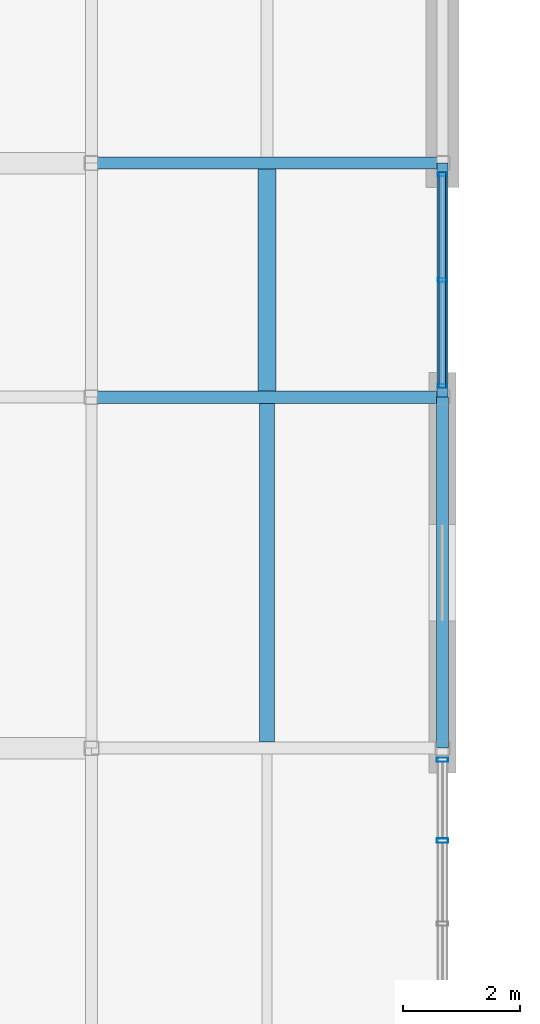
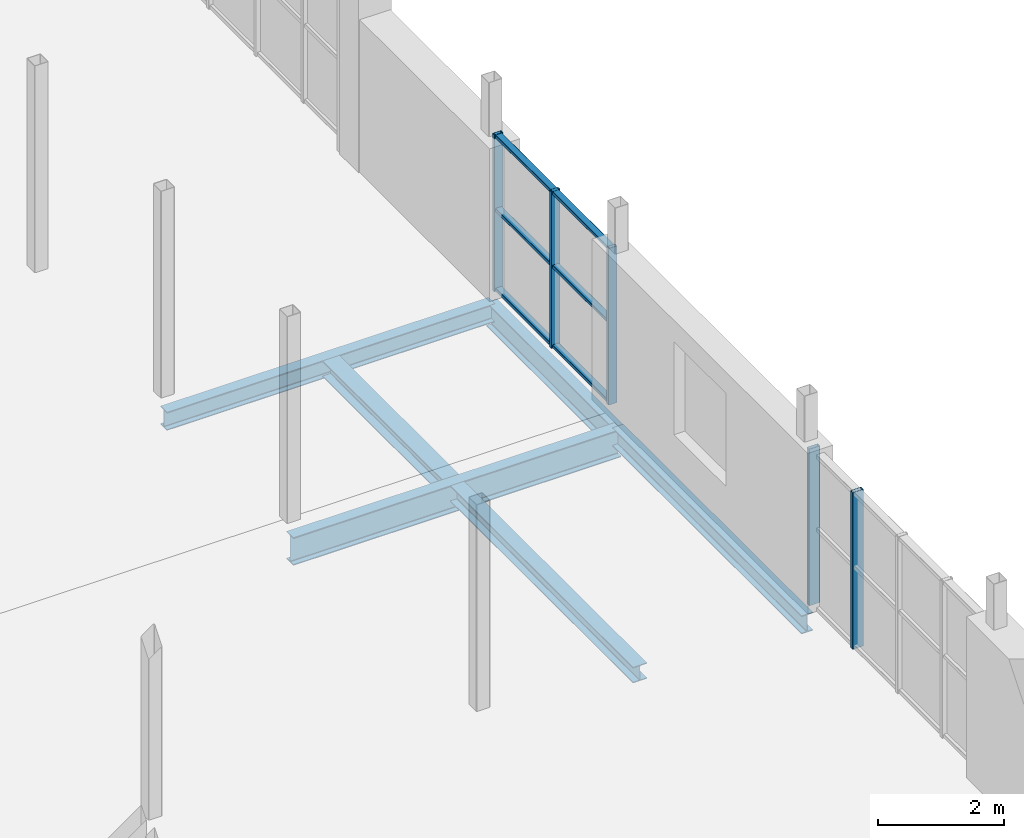
# One storey, part 18 of 35: 8 members, 6 beams, 2 elements without a shape of their own.
"""IFC4 building model written with IfcOpenShell, lengths in metres."""

from ifc_helpers import new_model, si_unit, direction, frame, origin, origin_2d, place, context, subcontext, project, spatial, hollow_rectangle, i_section, extrude, material, material_profile, profile_set, type_object, element, aggregate, save


model = new_model("IFC4")

# Units and contexts
model_context = context("Model", 3, precision=1e-05, world=origin(), true_north=direction((0.0, 1.0)))
body_context = subcontext(model_context, "Body", "Model", "MODEL_VIEW")
ifc_project = project(units=[si_unit("LENGTHUNIT", "METRE"), si_unit("AREAUNIT", "SQUARE_METRE"), si_unit("VOLUMEUNIT", "CUBIC_METRE"), si_unit("PLANEANGLEUNIT", "RADIAN"), si_unit("MASSUNIT", "GRAM", prefix="KILO")], contexts=[model_context])

# Site, building, storey
site_placement = place(None, origin())
site = spatial("IfcSite", under=ifc_project, at=site_placement, CompositionType="ELEMENT")
building_placement = place(site_placement, origin())
building = spatial("IfcBuilding", under=site, at=building_placement, Name="Verrall Gate Interchange", CompositionType="ELEMENT")
storey_placement = place(building_placement, frame((0.0, 0.0, 15.39990234375)))
storey = spatial("IfcBuildingStorey", under=building, at=storey_placement, Name="L04", CompositionType="ELEMENT", Elevation=15.39990234375)

# Beams
ifc_material_1 = material(Name="Structural Steel CSA G40.21 350W", Category="steel")
ifc_material_profile_1 = material_profile(ifc_material_1, i_section(OverallWidth=0.2109375, OverallDepth=0.5390625, WebThickness=0.01171875, FlangeThickness=0.018798828125, FilletRadius=0.013916015625, at=origin_2d()), Name="W530x109")
ifc_profile_set_1 = profile_set([ifc_material_profile_1], Name="Structural Steel CSA G40.21 350W")
beam_type_1 = type_object("IfcBeamType", Name="B-10 Structural Beam W530x109", PredefinedType="BEAM", material=ifc_profile_set_1)
beam_1_placement = place(storey_placement, frame((30.0, 40.0, -0.599365234375), z_axis=(1.0, 0.0, 0.0), x_axis=(0.0, 1.0, 0.0)))
element("IfcBeam", 1, at=beam_1_placement, inside=storey, type_object=beam_type_1, Name="L04 Girder BM-L04-2585 (B-10)", PredefinedType="BEAM", context=body_context, shape_type="SweptSolid", body=[
    extrude(i_section(OverallWidth=0.2109375, OverallDepth=0.5390625, WebThickness=0.01171875, FlangeThickness=0.018798828125, FilletRadius=0.013916015625, at=origin_2d()), origin(), (0.0, 0.0, 1.0), 6.0),
])
ifc_material_2 = material(Name="Structural Steel CSA G40.21 350W", Category="steel")
ifc_material_profile_2 = material_profile(ifc_material_2, i_section(OverallWidth=0.19189453125, OverallDepth=0.462890625, WebThickness=0.010498046875, FlangeThickness=0.017578125, FilletRadius=0.012939453125, at=origin_2d()), Name="W460x89")
ifc_profile_set_2 = profile_set([ifc_material_profile_2], Name="Structural Steel CSA G40.21 350W")
beam_type_2 = type_object("IfcBeamType", Name="B-11 Structural Beam W460x89", PredefinedType="BEAM", material=ifc_profile_set_2)
beam_2_placement = place(storey_placement, frame((36.0, 40.0, -0.5615234375), z_axis=(0.0, 1.0, 0.0), x_axis=(-1.0, 0.0, 0.0)))
element("IfcBeam", 2, at=beam_2_placement, inside=storey, type_object=beam_type_2, Name="L04 Girder BM-L04-2717 (B-11)", PredefinedType="BEAM", context=body_context, shape_type="SweptSolid", body=[
    extrude(i_section(OverallWidth=0.19189453125, OverallDepth=0.462890625, WebThickness=0.010498046875, FlangeThickness=0.017578125, FilletRadius=0.012939453125, at=origin_2d()), origin(), (0.0, 0.0, 1.0), 4.0),
])
ifc_material_3 = material(Name="Structural Steel CSA G40.21 350W", Category="steel")
ifc_material_profile_3 = material_profile(ifc_material_3, i_section(OverallWidth=0.205078125, OverallDepth=0.35400390625, WebThickness=0.009521484375, FlangeThickness=0.016845703125, FilletRadius=0.012939453125, at=origin_2d()), Name="W360x79")
ifc_profile_set_3 = profile_set([ifc_material_profile_3], Name="Structural Steel CSA G40.21 350W")
beam_type_3 = type_object("IfcBeamType", Name="B-14 Structural Beam W360x79", PredefinedType="BEAM", material=ifc_profile_set_3)
for number, where, z_axis, x_axis, name in (
    (3, (30.0, 44.0, -0.5068359375), (1.0, 0.0, 0.0), (0.0, 1.0, 0.0), "L04 Girder BM-L04-2596 (B-14)"),
    (4, (36.0, 34.0, -0.5068359375), (0.0, 1.0, 0.0), (-1.0, 0.0, 0.0), "L04 Girder BM-L04-2716 (B-14)"),
):
    element("IfcBeam", number, at=place(storey_placement, frame(where, z_axis=z_axis, x_axis=x_axis)), inside=storey, type_object=beam_type_3, Name=name, PredefinedType="BEAM", context=body_context, shape_type="SweptSolid", body=[
        extrude(i_section(OverallWidth=0.205078125, OverallDepth=0.35400390625, WebThickness=0.009521484375, FlangeThickness=0.016845703125, FilletRadius=0.012939453125, at=origin_2d()), origin(), (0.0, 0.0, 1.0), 6.0),
    ])

# Curtain wall, members
ifc_material_4 = material(Name="Thermally Broken Anodized Aluminium Curtain Wall Framing", Category="aluminium")
curtain_wall_type_1 = type_object("IfcCurtainWallType", Name="CW-32 Unitized Curtain Wall 3682x3030", PredefinedType="NOTDEFINED", material=ifc_material_4)
curtain_wall_1_placement = place(storey_placement, origin())
curtain_wall_1 = element("IfcCurtainWall", 5, at=curtain_wall_1_placement, inside=storey, type_object=curtain_wall_type_1, Name="L04 Unitized Curtain Wall CW-L04-130", PredefinedType="NOTDEFINED")
ifc_material_5 = material(Name="Thermally Broken Anodized Aluminium Curtain Wall Framing", Category="aluminium")
ifc_material_profile_4 = material_profile(ifc_material_5, hollow_rectangle(XDim=0.06494140625, YDim=0.159912109375, WallThickness=0.00390625, InnerFilletRadius=0.00390625, OuterFilletRadius=0.008056640625, at=origin_2d()), Name="CWM160x65x4")
ifc_profile_set_4 = profile_set([ifc_material_profile_4], Name="Thermally Broken Anodized Aluminium Curtain Wall Framing")
member_type_1 = type_object("IfcMemberType", Name="CM-01 Curtain Mullion CWM160x65x4", PredefinedType="MULLION", material=ifc_profile_set_4)
member_1_placement = place(storey_placement, frame((36.0, 40.19140625, 0.0), z_axis=(0.0, 0.0, 1.0), x_axis=(0.0, 1.0, 0.0)))
member_1 = element("IfcMember", 6, at=member_1_placement, type_object=member_type_1, Name="CW-L04-130 Mullion 1", PredefinedType="MULLION", context=body_context, shape_type="SweptSolid", body=[
    extrude(hollow_rectangle(XDim=0.06494140625, YDim=0.159912109375, WallThickness=0.00390625, InnerFilletRadius=0.00390625, OuterFilletRadius=0.008056640625, at=origin_2d()), origin(), (0.0, 0.0, 1.0), 3.030029296875),
])
member_2_placement = place(storey_placement, frame((36.0, 42.0, 0.0), z_axis=(0.0, 0.0, 1.0), x_axis=(0.0, 1.0, 0.0)))
member_2 = element("IfcMember", 7, at=member_2_placement, type_object=member_type_1, Name="CW-L04-130 Mullion 2", PredefinedType="MULLION", context=body_context, shape_type="SweptSolid", body=[
    extrude(hollow_rectangle(XDim=0.06494140625, YDim=0.159912109375, WallThickness=0.00390625, InnerFilletRadius=0.00390625, OuterFilletRadius=0.008056640625, at=origin_2d()), origin(), (0.0, 0.0, 1.0), 3.030029296875),
])
member_3_placement = place(storey_placement, frame((36.0, 43.80859375, 0.0), z_axis=(0.0, 0.0, 1.0), x_axis=(0.0, 1.0, 0.0)))
member_3 = element("IfcMember", 8, at=member_3_placement, type_object=member_type_1, Name="CW-L04-130 Mullion 3", PredefinedType="MULLION", context=body_context, shape_type="SweptSolid", body=[
    extrude(hollow_rectangle(XDim=0.06494140625, YDim=0.159912109375, WallThickness=0.00390625, InnerFilletRadius=0.00390625, OuterFilletRadius=0.008056640625, at=origin_2d()), origin(), (0.0, 0.0, 1.0), 3.030029296875),
])

ifc_material_6 = material(Name="Thermally Broken Anodized Aluminium Curtain Wall Framing", Category="aluminium")
curtain_wall_type_2 = type_object("IfcCurtainWallType", Name="CW-35 Unitized Curtain Wall 5682x3030", PredefinedType="NOTDEFINED", material=ifc_material_6)
curtain_wall_2_placement = place(storey_placement, origin())
curtain_wall_2 = element("IfcCurtainWall", 9, at=curtain_wall_2_placement, inside=storey, type_object=curtain_wall_type_2, Name="L04 Unitized Curtain Wall CW-L04-129", PredefinedType="NOTDEFINED")
ifc_material_7 = material(Name="Thermally Broken Anodized Aluminium Curtain Wall Framing", Category="aluminium")
ifc_material_profile_5 = material_profile(ifc_material_7, hollow_rectangle(XDim=0.074951171875, YDim=0.199951171875, WallThickness=0.0048828125, InnerFilletRadius=0.0048828125, OuterFilletRadius=0.010009765625, at=origin_2d()), Name="CWM200x75x5")
ifc_profile_set_5 = profile_set([ifc_material_profile_5], Name="Thermally Broken Anodized Aluminium Curtain Wall Framing")
member_type_2 = type_object("IfcMemberType", Name="CM-02 Curtain Mullion CWM200x75x5", PredefinedType="MULLION", material=ifc_profile_set_5)
member_4_placement = place(storey_placement, frame((36.0, 32.42041015625, 0.0), z_axis=(0.0, 0.0, 1.0), x_axis=(0.0, 1.0, 0.0)))
member_4 = element("IfcMember", 10, at=member_4_placement, type_object=member_type_2, Name="CW-L04-129 Mullion 4", PredefinedType="MULLION", context=body_context, shape_type="SweptSolid", body=[
    extrude(hollow_rectangle(XDim=0.074951171875, YDim=0.199951171875, WallThickness=0.0048828125, InnerFilletRadius=0.0048828125, OuterFilletRadius=0.010009765625, at=origin_2d()), origin(), (0.0, 0.0, 1.0), 3.030029296875),
])
member_5_placement = place(storey_placement, frame((36.0, 33.803466796875, 0.0), z_axis=(0.0, 0.0, 1.0), x_axis=(0.0, 1.0, 0.0)))
member_5 = element("IfcMember", 11, at=member_5_placement, type_object=member_type_2, Name="CW-L04-129 Mullion 5", PredefinedType="MULLION", context=body_context, shape_type="SweptSolid", body=[
    extrude(hollow_rectangle(XDim=0.074951171875, YDim=0.199951171875, WallThickness=0.0048828125, InnerFilletRadius=0.0048828125, OuterFilletRadius=0.010009765625, at=origin_2d()), origin(), (0.0, 0.0, 1.0), 3.030029296875),
])
aggregate(curtain_wall_2, [member_4, member_5])

# Member
ifc_material_8 = material(Name="Thermally Broken Anodized Aluminium Curtain Wall Framing", Category="aluminium")
ifc_material_profile_6 = material_profile(ifc_material_8, hollow_rectangle(XDim=0.1201171875, YDim=0.06494140625, WallThickness=0.00390625, InnerFilletRadius=0.00390625, OuterFilletRadius=0.008056640625, at=origin_2d()), Name="CWT120x65x4")
ifc_profile_set_6 = profile_set([ifc_material_profile_6], Name="Thermally Broken Anodized Aluminium Curtain Wall Framing")
member_type_3 = type_object("IfcMemberType", Name="CT-01 Curtain Transom CWT120x65x4", PredefinedType="USERDEFINED", material=ifc_profile_set_6)
member_6_placement = place(storey_placement, frame((36.0, 40.158935546875, 0.03271484375), z_axis=(0.0, 1.0, 0.0), x_axis=(-1.0, 0.0, 0.0)))
member_6 = element("IfcMember", 12, at=member_6_placement, type_object=member_type_3, Name="CW-L04-130 Transom 1", ObjectType="TRANSOM", PredefinedType="USERDEFINED", context=body_context, shape_type="SweptSolid", body=[
    extrude(hollow_rectangle(XDim=0.1201171875, YDim=0.06494140625, WallThickness=0.00390625, InnerFilletRadius=0.00390625, OuterFilletRadius=0.008056640625, at=origin_2d()), origin(), (0.0, 0.0, 1.0), 3.68212890625),
])

member_7_placement = place(storey_placement, frame((36.0, 40.158935546875, 1.57568359375), z_axis=(0.0, 1.0, 0.0), x_axis=(-1.0, 0.0, 0.0)))
member_7 = element("IfcMember", 13, at=member_7_placement, type_object=member_type_3, Name="CW-L04-130 Transom 2", ObjectType="TRANSOM", PredefinedType="USERDEFINED", context=body_context, shape_type="SweptSolid", body=[
    extrude(hollow_rectangle(XDim=0.1201171875, YDim=0.06494140625, WallThickness=0.00390625, InnerFilletRadius=0.00390625, OuterFilletRadius=0.008056640625, at=origin_2d()), origin(), (0.0, 0.0, 1.0), 3.68212890625),
])

member_8_placement = place(storey_placement, frame((36.0, 40.158935546875, 2.99755859375), z_axis=(0.0, 1.0, 0.0), x_axis=(-1.0, 0.0, 0.0)))
member_8 = element("IfcMember", 14, at=member_8_placement, type_object=member_type_3, Name="CW-L04-130 Transom 3", ObjectType="TRANSOM", PredefinedType="USERDEFINED", context=body_context, shape_type="SweptSolid", body=[
    extrude(hollow_rectangle(XDim=0.1201171875, YDim=0.06494140625, WallThickness=0.00390625, InnerFilletRadius=0.00390625, OuterFilletRadius=0.008056640625, at=origin_2d()), origin(), (0.0, 0.0, 1.0), 3.68212890625),
])

aggregate(curtain_wall_1, [member_1, member_2, member_3, member_6, member_7, member_8])

# Beams
ifc_material_9 = material(Name="Structural Steel CSA G40.21 350W", Category="steel")
ifc_material_profile_7 = material_profile(ifc_material_9, i_section(OverallWidth=0.306884765625, OverallDepth=0.31396484375, WebThickness=0.011962890625, FlangeThickness=0.018798828125, FilletRadius=0.013916015625, at=origin_2d()), Name="W310x118")
ifc_profile_set_7 = profile_set([ifc_material_profile_7], Name="Structural Steel CSA G40.21 350W")
beam_type_4 = type_object("IfcBeamType", Name="J-02 Floor Joist W310x118", PredefinedType="JOIST", material=ifc_profile_set_7)
beam_3_placement = place(storey_placement, frame((33.0, 40.10546875, -0.48681640625), z_axis=(0.0, 1.0, 0.0), x_axis=(-1.0, 0.0, 0.0)))
element("IfcBeam", 15, at=beam_3_placement, inside=storey, type_object=beam_type_4, Name="L04 Secondary Floor Joist JST-L04-2818", PredefinedType="JOIST", context=body_context, shape_type="SweptSolid", body=[
    extrude(i_section(OverallWidth=0.306884765625, OverallDepth=0.31396484375, WebThickness=0.011962890625, FlangeThickness=0.018798828125, FilletRadius=0.013916015625, at=origin_2d()), origin(), (0.0, 0.0, 1.0), 3.7919921875),
])
ifc_material_10 = material(Name="Structural Steel CSA G40.21 350W", Category="steel")
ifc_material_profile_8 = material_profile(ifc_material_10, i_section(OverallWidth=0.25390625, OverallDepth=0.305908203125, WebThickness=0.0087890625, FlangeThickness=0.0146484375, FilletRadius=0.012939453125, at=origin_2d()), Name="W310x79")
ifc_profile_set_8 = profile_set([ifc_material_profile_8], Name="Structural Steel CSA G40.21 350W")
beam_type_5 = type_object("IfcBeamType", Name="J-03 Floor Joist W310x79", PredefinedType="JOIST", material=ifc_profile_set_8)
beam_4_placement = place(storey_placement, frame((33.0, 34.1025390625, -0.48291015625), z_axis=(0.0, 1.0, 0.0), x_axis=(-1.0, 0.0, 0.0)))
element("IfcBeam", 16, at=beam_4_placement, inside=storey, type_object=beam_type_5, Name="L04 Secondary Floor Joist JST-L04-2810", PredefinedType="JOIST", context=body_context, shape_type="SweptSolid", body=[
    extrude(i_section(OverallWidth=0.25390625, OverallDepth=0.305908203125, WebThickness=0.0087890625, FlangeThickness=0.0146484375, FilletRadius=0.012939453125, at=origin_2d()), origin(), (0.0, 0.0, 1.0), 5.7919921875),
])

save(model, "model.ifc")
